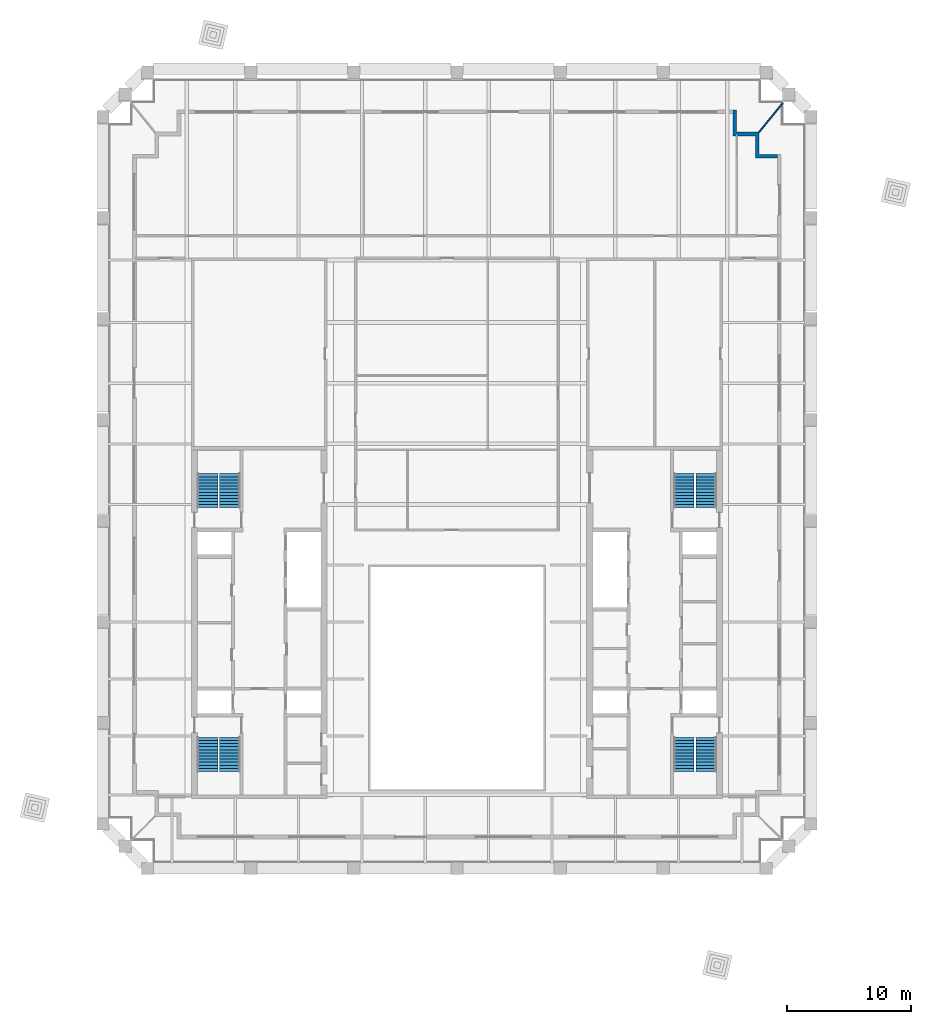
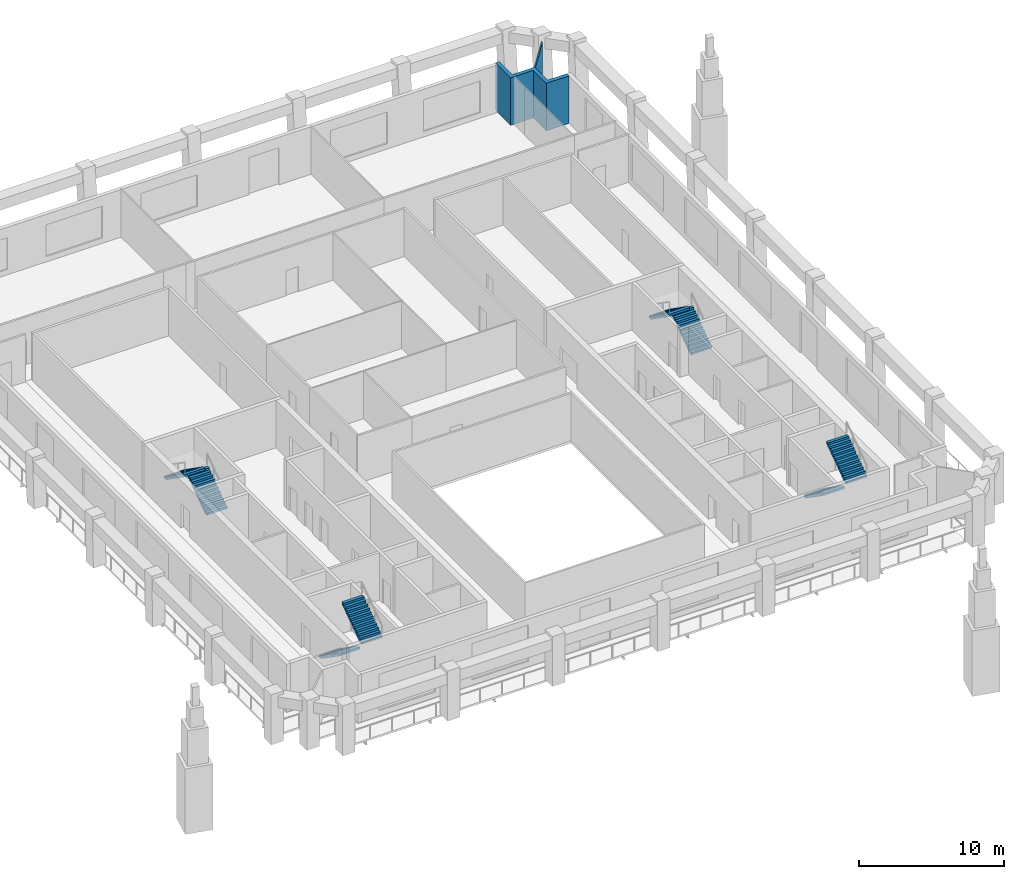
# One storey, part 7 of 8: 8 stair flights, 2 walls, 4 elements without a shape of their own.
"""IFC4 building model written with IfcOpenShell, lengths in metres."""

from ifc_helpers import new_model, si_unit, direction, frame, frame_2d, origin, place, context, subcontext, project, spatial, polyline, rectangle, outline, extrude, material, layer, layer_set, type_object, element, aggregate, save


model = new_model("IFC4")

# Units and contexts
model_context = context("Model", 3, precision=1e-05, world=origin(), true_north=direction((0.0, 1.0)))
body_context = subcontext(model_context, "Body", "Model", "MODEL_VIEW")
ifc_project = project(units=[si_unit("LENGTHUNIT", "METRE"), si_unit("AREAUNIT", "SQUARE_METRE"), si_unit("VOLUMEUNIT", "CUBIC_METRE"), si_unit("PLANEANGLEUNIT", "RADIAN"), si_unit("MASSUNIT", "GRAM", prefix="KILO")], contexts=[model_context])

# Site, building, storey
site_placement = place(None, origin())
site = spatial("IfcSite", under=ifc_project, at=site_placement, CompositionType="ELEMENT")
building_placement = place(site_placement, origin())
building = spatial("IfcBuilding", under=site, at=building_placement, Name="Ogive Exchange Tower", CompositionType="ELEMENT")
storey_placement = place(building_placement, frame((0.0, 0.0, 309.0)))
storey = spatial("IfcBuildingStorey", under=building, at=storey_placement, Name="L67", CompositionType="ELEMENT", Elevation=309.0)

# Walls
ifc_material_1 = material(Name="Precast concrete C40/50", Category="concrete")
ifc_layer_1 = layer(ifc_material_1, 0.300048828125)
ifc_layer_set_1 = layer_set([ifc_layer_1], Name="Limestone-faced wall 300")
wall_type_1 = type_object("IfcWallType", Name="Limestone-faced wall 300", PredefinedType="STANDARD", material=ifc_layer_set_1)
wall_1_placement = place(storey_placement, origin())
element("IfcWall", 1, at=wall_1_placement, inside=storey, type_object=wall_type_1, Name="External corner wall C2", PredefinedType="STANDARD", context=body_context, shape_type="SweptSolid", body=[
    extrude(outline(polyline([(24.14990234375, 50.89990234375), (22.35009765625, 50.89990234375), (22.35009765625, 53.0), (22.64990234375, 53.0), (22.64990234375, 51.199951171875), (24.449951171875, 51.199951171875), (24.449951171875, 49.39990234375), (25.949951171875, 49.39990234375), (25.949951171875, 49.10009765625), (24.14990234375, 49.10009765625), (24.14990234375, 50.89990234375)])), origin(), (0.0, 0.0, 1.0), 4.0),
])
ifc_material_2 = material(Name="Laminated safety glass in steel frame", Category="steel")
ifc_layer_2 = layer(ifc_material_2, 0.10009765625)
ifc_layer_set_2 = layer_set([ifc_layer_2], Name="Loggia end screen 100")
wall_type_2 = type_object("IfcWallType", Name="Loggia end screen 100", PredefinedType="STANDARD", material=ifc_layer_set_2)
wall_2_placement = place(storey_placement, frame((24.449951171875, 51.199951171875, -0.050048828125), z_axis=(0.0, 0.0, 1.0), x_axis=(0.631657032083, 0.775247956347, 0.0)))
element("IfcWall", 2, at=wall_2_placement, inside=storey, type_object=wall_type_2, Name="Loggia end screen C2", PredefinedType="STANDARD", context=body_context, shape_type="SweptSolid", body=[
    extrude(rectangle(XDim=3.072265625, YDim=0.10009765625, at=frame_2d((1.5361328125, 0.0))), origin(), (0.0, 0.0, 1.0), 4.050048828125),
])

# Stair, stair flights
ifc_material_3 = material(Name="Concrete C40/50", Category="concrete")
stair_type = type_object("IfcStairType", Name="Exit stair 1650 wide", PredefinedType="HALF_TURN_STAIR", material=ifc_material_3)
stair_1_placement = place(storey_placement, origin())
stair_1 = element("IfcStair", 3, at=stair_1_placement, inside=storey, type_object=stair_type, Name="L67 exit stair ST1", PredefinedType="HALF_TURN_STAIR")
stair_flight_type = type_object("IfcStairFlightType", Name="Stair flight 1650 wide", PredefinedType="STRAIGHT", material=ifc_material_3)
stair_flight_1_placement = place(storey_placement, frame((-20.175048828125, 2.199951171875, 0.0), z_axis=(0.0, 0.0, 1.0), x_axis=(0.0, -1.0, 0.0)))
stair_flight_1 = element("IfcStairFlight", 4, at=stair_flight_1_placement, type_object=stair_flight_type, Name="ST1 flight 1", NumberOfRisers=12, NumberOfTreads=11, PredefinedType="STRAIGHT", RiserHeight=0.175, TreadLength=0.25, context=body_context, shape_type="SweptSolid", body=[
    extrude(outline(polyline([(0.0, 0.0), (0.0, 0.175048828125), (0.25, 0.175048828125), (0.25, 0.35009765625), (0.5, 0.35009765625), (0.5, 0.52490234375), (0.75, 0.52490234375), (0.75, 0.699951171875), (1.0, 0.699951171875), (1.0, 0.875), (1.25, 0.875), (1.25, 1.050048828125), (1.5, 1.050048828125), (1.5, 1.22509765625), (1.75, 1.22509765625), (1.75, 1.39990234375), (2.0, 1.39990234375), (2.0, 1.574951171875), (2.25, 1.574951171875), (2.25, 1.75), (2.5, 1.75), (2.5, 1.925048828125), (2.75, 1.925048828125), (2.75, 2.10009765625), (2.75, 1.741943359375), (0.261474609375, 0.0), (0.0, 0.0)])), frame((0.0, 0.824951171875, 0.0), z_axis=(0.0, -1.0, 0.0), x_axis=(1.0, 0.0, 0.0)), (0.0, 0.0, 1.0), 1.64990234375),
])
stair_flight_2_placement = place(storey_placement, frame((-18.375, -0.550048828125, 2.10009765625), z_axis=(0.0, 0.0, 1.0), x_axis=(0.0, 1.0, 0.0)))
stair_flight_2 = element("IfcStairFlight", 5, at=stair_flight_2_placement, type_object=stair_flight_type, Name="ST1 flight 2", NumberOfRisers=12, NumberOfTreads=11, PredefinedType="STRAIGHT", RiserHeight=0.175, TreadLength=0.25, context=body_context, shape_type="SweptSolid", body=[
    extrude(outline(polyline([(0.0, 0.0), (0.0, 0.175048828125), (0.25, 0.175048828125), (0.25, 0.35009765625), (0.5, 0.35009765625), (0.5, 0.52490234375), (0.75, 0.52490234375), (0.75, 0.699951171875), (1.0, 0.699951171875), (1.0, 0.875), (1.25, 0.875), (1.25, 1.050048828125), (1.5, 1.050048828125), (1.5, 1.22509765625), (1.75, 1.22509765625), (1.75, 1.39990234375), (2.0, 1.39990234375), (2.0, 1.574951171875), (2.25, 1.574951171875), (2.25, 1.75), (2.5, 1.75), (2.5, 1.925048828125), (2.75, 1.925048828125), (2.75, 2.10009765625), (2.75, 1.741943359375), (0.261474609375, 0.0), (0.0, 0.0)])), frame((0.0, 0.824951171875, 0.0), z_axis=(0.0, -1.0, 0.0), x_axis=(1.0, 0.0, 0.0)), (0.0, 0.0, 1.0), 1.64990234375),
])
aggregate(stair_1, [stair_flight_1, stair_flight_2])

stair_2_placement = place(storey_placement, origin())
stair_2 = element("IfcStair", 6, at=stair_2_placement, inside=storey, type_object=stair_type, Name="L67 exit stair ST2", PredefinedType="HALF_TURN_STAIR")
stair_flight_3_placement = place(storey_placement, frame((-18.375, 20.800048828125, 0.0), z_axis=(0.0, 0.0, 1.0), x_axis=(0.0, 1.0, 0.0)))
stair_flight_3 = element("IfcStairFlight", 7, at=stair_flight_3_placement, type_object=stair_flight_type, Name="ST2 flight 1", NumberOfRisers=12, NumberOfTreads=11, PredefinedType="STRAIGHT", RiserHeight=0.175, TreadLength=0.25, context=body_context, shape_type="SweptSolid", body=[
    extrude(outline(polyline([(0.0, 0.0), (0.0, 0.175048828125), (0.25, 0.175048828125), (0.25, 0.35009765625), (0.5, 0.35009765625), (0.5, 0.52490234375), (0.75, 0.52490234375), (0.75, 0.699951171875), (1.0, 0.699951171875), (1.0, 0.875), (1.25, 0.875), (1.25, 1.050048828125), (1.5, 1.050048828125), (1.5, 1.22509765625), (1.75, 1.22509765625), (1.75, 1.39990234375), (2.0, 1.39990234375), (2.0, 1.574951171875), (2.25, 1.574951171875), (2.25, 1.75), (2.5, 1.75), (2.5, 1.925048828125), (2.75, 1.925048828125), (2.75, 2.10009765625), (2.75, 1.741943359375), (0.261474609375, 0.0), (0.0, 0.0)])), frame((0.0, 0.824951171875, 0.0), z_axis=(0.0, -1.0, 0.0), x_axis=(1.0, 0.0, 0.0)), (0.0, 0.0, 1.0), 1.64990234375),
])
stair_flight_4_placement = place(storey_placement, frame((-20.175048828125, 23.550048828125, 2.10009765625), z_axis=(0.0, 0.0, 1.0), x_axis=(0.0, -1.0, 0.0)))
stair_flight_4 = element("IfcStairFlight", 8, at=stair_flight_4_placement, type_object=stair_flight_type, Name="ST2 flight 2", NumberOfRisers=12, NumberOfTreads=11, PredefinedType="STRAIGHT", RiserHeight=0.175, TreadLength=0.25, context=body_context, shape_type="SweptSolid", body=[
    extrude(outline(polyline([(0.0, 0.0), (0.0, 0.175048828125), (0.25, 0.175048828125), (0.25, 0.35009765625), (0.5, 0.35009765625), (0.5, 0.52490234375), (0.75, 0.52490234375), (0.75, 0.699951171875), (1.0, 0.699951171875), (1.0, 0.875), (1.25, 0.875), (1.25, 1.050048828125), (1.5, 1.050048828125), (1.5, 1.22509765625), (1.75, 1.22509765625), (1.75, 1.39990234375), (2.0, 1.39990234375), (2.0, 1.574951171875), (2.25, 1.574951171875), (2.25, 1.75), (2.5, 1.75), (2.5, 1.925048828125), (2.75, 1.925048828125), (2.75, 2.10009765625), (2.75, 1.741943359375), (0.261474609375, 0.0), (0.0, 0.0)])), frame((0.0, 0.824951171875, 0.0), z_axis=(0.0, -1.0, 0.0), x_axis=(1.0, 0.0, 0.0)), (0.0, 0.0, 1.0), 1.64990234375),
])
aggregate(stair_2, [stair_flight_3, stair_flight_4])

stair_3_placement = place(storey_placement, origin())
stair_3 = element("IfcStair", 9, at=stair_3_placement, inside=storey, type_object=stair_type, Name="L67 exit stair ST3", PredefinedType="HALF_TURN_STAIR")
stair_flight_5_placement = place(storey_placement, frame((18.375, 2.199951171875, 0.0), z_axis=(0.0, 0.0, 1.0), x_axis=(0.0, -1.0, 0.0)))
stair_flight_5 = element("IfcStairFlight", 10, at=stair_flight_5_placement, type_object=stair_flight_type, Name="ST3 flight 1", NumberOfRisers=12, NumberOfTreads=11, PredefinedType="STRAIGHT", RiserHeight=0.175, TreadLength=0.25, context=body_context, shape_type="SweptSolid", body=[
    extrude(outline(polyline([(0.0, 0.0), (0.0, 0.175048828125), (0.25, 0.175048828125), (0.25, 0.35009765625), (0.5, 0.35009765625), (0.5, 0.52490234375), (0.75, 0.52490234375), (0.75, 0.699951171875), (1.0, 0.699951171875), (1.0, 0.875), (1.25, 0.875), (1.25, 1.050048828125), (1.5, 1.050048828125), (1.5, 1.22509765625), (1.75, 1.22509765625), (1.75, 1.39990234375), (2.0, 1.39990234375), (2.0, 1.574951171875), (2.25, 1.574951171875), (2.25, 1.75), (2.5, 1.75), (2.5, 1.925048828125), (2.75, 1.925048828125), (2.75, 2.10009765625), (2.75, 1.741943359375), (0.261474609375, 0.0), (0.0, 0.0)])), frame((0.0, 0.824951171875, 0.0), z_axis=(0.0, -1.0, 0.0), x_axis=(1.0, 0.0, 0.0)), (0.0, 0.0, 1.0), 1.64990234375),
])
stair_flight_6_placement = place(storey_placement, frame((20.175048828125, -0.550048828125, 2.10009765625), z_axis=(0.0, 0.0, 1.0), x_axis=(0.0, 1.0, 0.0)))
stair_flight_6 = element("IfcStairFlight", 11, at=stair_flight_6_placement, type_object=stair_flight_type, Name="ST3 flight 2", NumberOfRisers=12, NumberOfTreads=11, PredefinedType="STRAIGHT", RiserHeight=0.175, TreadLength=0.25, context=body_context, shape_type="SweptSolid", body=[
    extrude(outline(polyline([(0.0, 0.0), (0.0, 0.175048828125), (0.25, 0.175048828125), (0.25, 0.35009765625), (0.5, 0.35009765625), (0.5, 0.52490234375), (0.75, 0.52490234375), (0.75, 0.699951171875), (1.0, 0.699951171875), (1.0, 0.875), (1.25, 0.875), (1.25, 1.050048828125), (1.5, 1.050048828125), (1.5, 1.22509765625), (1.75, 1.22509765625), (1.75, 1.39990234375), (2.0, 1.39990234375), (2.0, 1.574951171875), (2.25, 1.574951171875), (2.25, 1.75), (2.5, 1.75), (2.5, 1.925048828125), (2.75, 1.925048828125), (2.75, 2.10009765625), (2.75, 1.741943359375), (0.261474609375, 0.0), (0.0, 0.0)])), frame((0.0, 0.824951171875, 0.0), z_axis=(0.0, -1.0, 0.0), x_axis=(1.0, 0.0, 0.0)), (0.0, 0.0, 1.0), 1.64990234375),
])
aggregate(stair_3, [stair_flight_5, stair_flight_6])

stair_4_placement = place(storey_placement, origin())
stair_4 = element("IfcStair", 12, at=stair_4_placement, inside=storey, type_object=stair_type, Name="L67 exit stair ST4", PredefinedType="HALF_TURN_STAIR")
stair_flight_7_placement = place(storey_placement, frame((20.175048828125, 20.800048828125, 0.0), z_axis=(0.0, 0.0, 1.0), x_axis=(0.0, 1.0, 0.0)))
stair_flight_7 = element("IfcStairFlight", 13, at=stair_flight_7_placement, type_object=stair_flight_type, Name="ST4 flight 1", NumberOfRisers=12, NumberOfTreads=11, PredefinedType="STRAIGHT", RiserHeight=0.175, TreadLength=0.25, context=body_context, shape_type="SweptSolid", body=[
    extrude(outline(polyline([(0.0, 0.0), (0.0, 0.175048828125), (0.25, 0.175048828125), (0.25, 0.35009765625), (0.5, 0.35009765625), (0.5, 0.52490234375), (0.75, 0.52490234375), (0.75, 0.699951171875), (1.0, 0.699951171875), (1.0, 0.875), (1.25, 0.875), (1.25, 1.050048828125), (1.5, 1.050048828125), (1.5, 1.22509765625), (1.75, 1.22509765625), (1.75, 1.39990234375), (2.0, 1.39990234375), (2.0, 1.574951171875), (2.25, 1.574951171875), (2.25, 1.75), (2.5, 1.75), (2.5, 1.925048828125), (2.75, 1.925048828125), (2.75, 2.10009765625), (2.75, 1.741943359375), (0.261474609375, 0.0), (0.0, 0.0)])), frame((0.0, 0.824951171875, 0.0), z_axis=(0.0, -1.0, 0.0), x_axis=(1.0, 0.0, 0.0)), (0.0, 0.0, 1.0), 1.64990234375),
])
stair_flight_8_placement = place(storey_placement, frame((18.375, 23.550048828125, 2.10009765625), z_axis=(0.0, 0.0, 1.0), x_axis=(0.0, -1.0, 0.0)))
stair_flight_8 = element("IfcStairFlight", 14, at=stair_flight_8_placement, type_object=stair_flight_type, Name="ST4 flight 2", NumberOfRisers=12, NumberOfTreads=11, PredefinedType="STRAIGHT", RiserHeight=0.175, TreadLength=0.25, context=body_context, shape_type="SweptSolid", body=[
    extrude(outline(polyline([(0.0, 0.0), (0.0, 0.175048828125), (0.25, 0.175048828125), (0.25, 0.35009765625), (0.5, 0.35009765625), (0.5, 0.52490234375), (0.75, 0.52490234375), (0.75, 0.699951171875), (1.0, 0.699951171875), (1.0, 0.875), (1.25, 0.875), (1.25, 1.050048828125), (1.5, 1.050048828125), (1.5, 1.22509765625), (1.75, 1.22509765625), (1.75, 1.39990234375), (2.0, 1.39990234375), (2.0, 1.574951171875), (2.25, 1.574951171875), (2.25, 1.75), (2.5, 1.75), (2.5, 1.925048828125), (2.75, 1.925048828125), (2.75, 2.10009765625), (2.75, 1.741943359375), (0.261474609375, 0.0), (0.0, 0.0)])), frame((0.0, 0.824951171875, 0.0), z_axis=(0.0, -1.0, 0.0), x_axis=(1.0, 0.0, 0.0)), (0.0, 0.0, 1.0), 1.64990234375),
])
aggregate(stair_4, [stair_flight_7, stair_flight_8])

save(model, "model.ifc")
